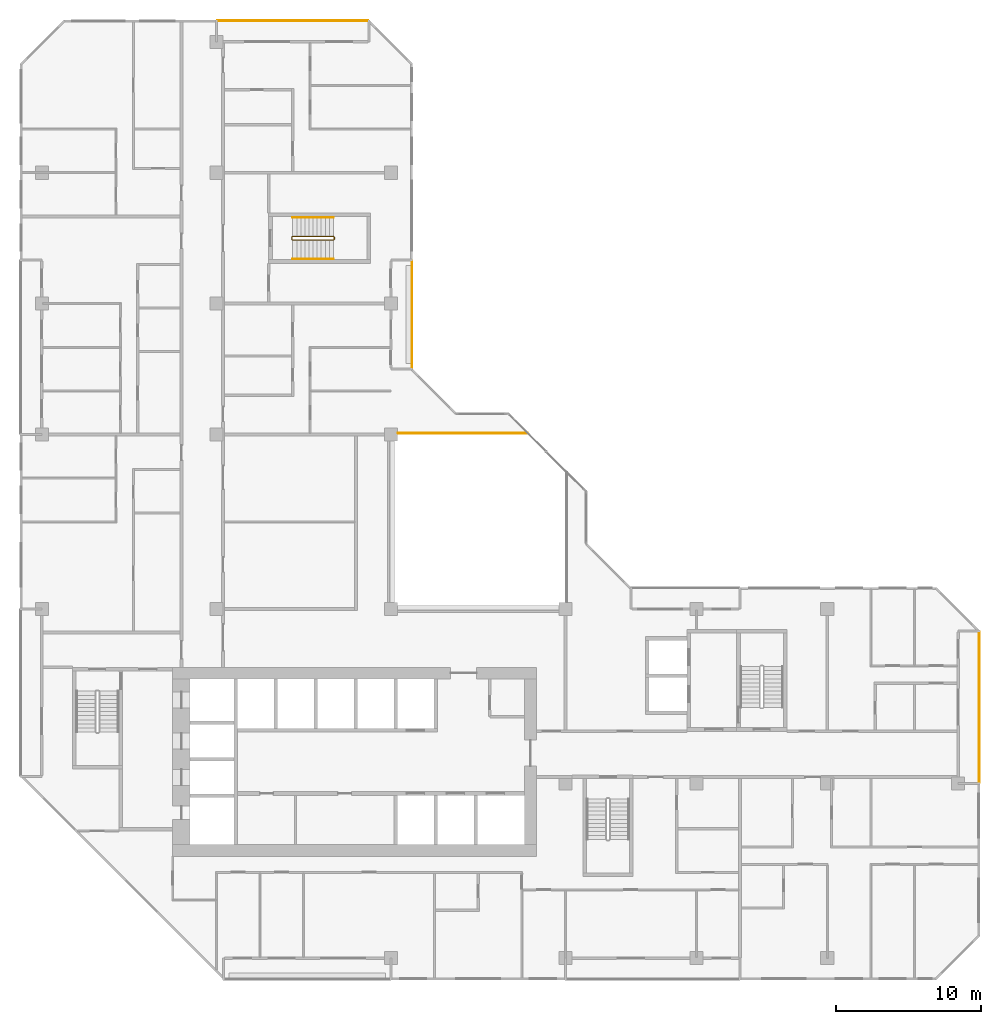
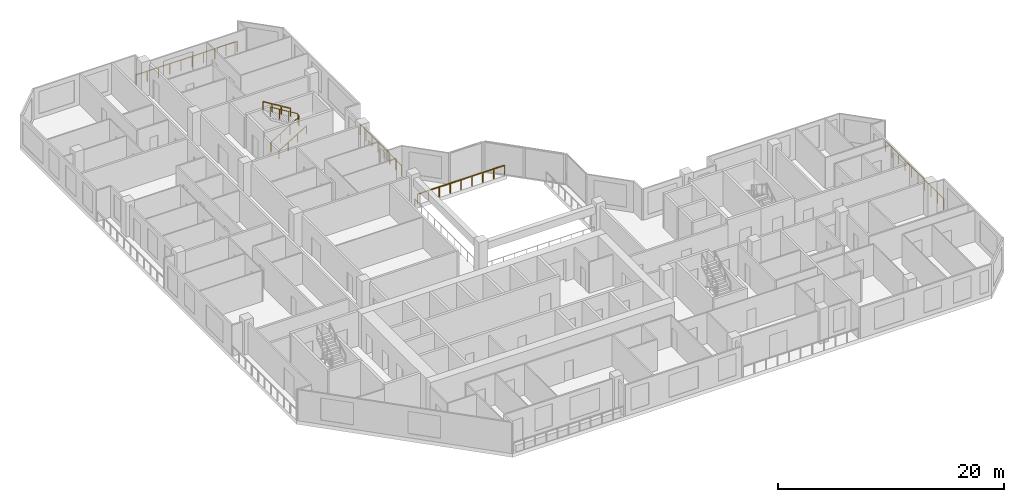
# One storey, part 14 of 14: 7 railings.
"""IFC4 building model written with IfcOpenShell, lengths in metres."""

from ifc_helpers import new_model, si_unit, direction, frame, origin, origin_2d, place, context, subcontext, project, spatial, rectangle, extrude, material, type_object, element, save


model = new_model("IFC4")

# Units and contexts
model_context = context("Model", 3, precision=1e-05, world=origin(), true_north=direction((0.0, 1.0)))
body_context = subcontext(model_context, "Body", "Model", "MODEL_VIEW")
ifc_project = project(units=[si_unit("LENGTHUNIT", "METRE"), si_unit("AREAUNIT", "SQUARE_METRE"), si_unit("VOLUMEUNIT", "CUBIC_METRE"), si_unit("PLANEANGLEUNIT", "RADIAN"), si_unit("MASSUNIT", "GRAM", prefix="KILO")], contexts=[model_context])

# Site, building, storey
site_placement = place(None, origin())
site = spatial("IfcSite", under=ifc_project, at=site_placement, CompositionType="ELEMENT")
building_placement = place(site_placement, origin())
building = spatial("IfcBuilding", under=site, at=building_placement, Name="Chenar Terraces", CompositionType="ELEMENT")
storey_placement = place(building_placement, frame((0.0, 0.0, 168.64990234375)))
storey = spatial("IfcBuildingStorey", under=building, at=storey_placement, Name="L38", CompositionType="ELEMENT", Elevation=168.64990234375)

# Railings
ifc_material_1 = material(Name="Powder-coated steel", Category="steel")
railing_type_1 = type_object("IfcRailingType", Name="Guard 1100 steel rail with glass infill", PredefinedType="GUARDRAIL", material=ifc_material_1)
railing_1_placement = place(storey_placement, frame((24.5, 36.10009765625, 0.0)))
element("IfcRailing", 1, at=railing_1_placement, inside=storey, type_object=railing_type_1, Name="Guard L38-2", PredefinedType="GUARDRAIL", context=body_context, shape_type="SweptSolid", body=[
    extrude(rectangle(XDim=0.06005859375, YDim=0.06005859375, at=origin_2d()), frame((0.0, 0.0, 1.070068359375), z_axis=(1.0, 0.0, 0.0), x_axis=(0.0, 1.0, 0.0)), (0.0, 0.0, 1.0), 8.89990234375),
    extrude(rectangle(XDim=0.050048828125, YDim=0.050048828125, at=origin_2d()), origin(), (0.0, 0.0, 1.0), 1.0400390625),
    extrude(rectangle(XDim=0.050048828125, YDim=0.050048828125, at=origin_2d()), frame((1.112548828125, 0.0, 0.0)), (0.0, 0.0, 1.0), 1.0400390625),
    extrude(rectangle(XDim=0.050048828125, YDim=0.050048828125, at=origin_2d()), frame((2.22509765625, 0.0, 0.0)), (0.0, 0.0, 1.0), 1.0400390625),
    extrude(rectangle(XDim=0.050048828125, YDim=0.050048828125, at=origin_2d()), frame((3.33740234375, 0.0, 0.0)), (0.0, 0.0, 1.0), 1.0400390625),
    extrude(rectangle(XDim=0.050048828125, YDim=0.050048828125, at=origin_2d()), frame((4.449951171875, 0.0, 0.0)), (0.0, 0.0, 1.0), 1.0400390625),
    extrude(rectangle(XDim=0.050048828125, YDim=0.050048828125, at=origin_2d()), frame((5.5625, 0.0, 0.0)), (0.0, 0.0, 1.0), 1.0400390625),
    extrude(rectangle(XDim=0.050048828125, YDim=0.050048828125, at=origin_2d()), frame((6.6748046875, 0.0, 0.0)), (0.0, 0.0, 1.0), 1.0400390625),
    extrude(rectangle(XDim=0.050048828125, YDim=0.050048828125, at=origin_2d()), frame((7.787353515625, 0.0, 0.0)), (0.0, 0.0, 1.0), 1.0400390625),
    extrude(rectangle(XDim=0.050048828125, YDim=0.050048828125, at=origin_2d()), frame((8.89990234375, 0.0, 0.0)), (0.0, 0.0, 1.0), 1.0400390625),
])
ifc_material_2 = material(Name="Stainless steel and glass", Category="steel")
railing_type_2 = type_object("IfcRailingType", Name="Loggia guard 1150", PredefinedType="GUARDRAIL", material=ifc_material_2)
railing_2_placement = place(storey_placement, frame((25.449951171875, 40.574951171875, 0.0)))
element("IfcRailing", 2, at=railing_2_placement, inside=storey, type_object=railing_type_2, Name="Loggia guard", PredefinedType="GUARDRAIL", context=body_context, shape_type="SweptSolid", body=[
    extrude(rectangle(XDim=0.048095703125, YDim=0.048095703125, at=origin_2d()), frame((0.0, 0.0, 1.1259765625), z_axis=(0.0, 1.0, 0.0), x_axis=(-1.0, 0.0, 0.0)), (0.0, 0.0, 1.0), 7.35009765625),
    extrude(rectangle(XDim=0.0419921875, YDim=0.0419921875, at=origin_2d()), origin(), (0.0, 0.0, 1.0), 1.101806640625),
    extrude(rectangle(XDim=0.0419921875, YDim=0.0419921875, at=origin_2d()), frame((0.0, 1.050048828125, 0.0)), (0.0, 0.0, 1.0), 1.101806640625),
    extrude(rectangle(XDim=0.0419921875, YDim=0.0419921875, at=origin_2d()), frame((0.0, 2.10009765625, 0.0)), (0.0, 0.0, 1.0), 1.101806640625),
    extrude(rectangle(XDim=0.0419921875, YDim=0.0419921875, at=origin_2d()), frame((0.0, 3.150146484375, 0.0)), (0.0, 0.0, 1.0), 1.101806640625),
    extrude(rectangle(XDim=0.0419921875, YDim=0.0419921875, at=origin_2d()), frame((0.0, 4.199951171875, 0.0)), (0.0, 0.0, 1.0), 1.101806640625),
    extrude(rectangle(XDim=0.0419921875, YDim=0.0419921875, at=origin_2d()), frame((0.0, 5.25, 0.0)), (0.0, 0.0, 1.0), 1.101806640625),
    extrude(rectangle(XDim=0.0419921875, YDim=0.0419921875, at=origin_2d()), frame((0.0, 6.300048828125, 0.0)), (0.0, 0.0, 1.0), 1.101806640625),
    extrude(rectangle(XDim=0.0419921875, YDim=0.0419921875, at=origin_2d()), frame((0.0, 7.35009765625, 0.0)), (0.0, 0.0, 1.0), 1.101806640625),
])
railing_3_placement = place(storey_placement, frame((64.449951171875, 12.074951171875, 0.0)))
element("IfcRailing", 3, at=railing_3_placement, inside=storey, type_object=railing_type_2, Name="Loggia guard", PredefinedType="GUARDRAIL", context=body_context, shape_type="SweptSolid", body=[
    extrude(rectangle(XDim=0.048095703125, YDim=0.048095703125, at=origin_2d()), frame((0.0, 0.0, 1.1259765625), z_axis=(0.0, 1.0, 0.0), x_axis=(-1.0, 0.0, 0.0)), (0.0, 0.0, 1.0), 10.35009765625),
    extrude(rectangle(XDim=0.0419921875, YDim=0.0419921875, at=origin_2d()), origin(), (0.0, 0.0, 1.0), 1.101806640625),
    extrude(rectangle(XDim=0.0419921875, YDim=0.0419921875, at=origin_2d()), frame((0.0, 1.14990234375, 0.0)), (0.0, 0.0, 1.0), 1.101806640625),
    extrude(rectangle(XDim=0.0419921875, YDim=0.0419921875, at=origin_2d()), frame((0.0, 2.300048828125, 0.0)), (0.0, 0.0, 1.0), 1.101806640625),
    extrude(rectangle(XDim=0.0419921875, YDim=0.0419921875, at=origin_2d()), frame((0.0, 3.449951171875, 0.0)), (0.0, 0.0, 1.0), 1.101806640625),
    extrude(rectangle(XDim=0.0419921875, YDim=0.0419921875, at=origin_2d()), frame((0.0, 4.60009765625, 0.0)), (0.0, 0.0, 1.0), 1.101806640625),
    extrude(rectangle(XDim=0.0419921875, YDim=0.0419921875, at=origin_2d()), frame((0.0, 5.75, 0.0)), (0.0, 0.0, 1.0), 1.101806640625),
    extrude(rectangle(XDim=0.0419921875, YDim=0.0419921875, at=origin_2d()), frame((0.0, 6.900146484375, 0.0)), (0.0, 0.0, 1.0), 1.101806640625),
    extrude(rectangle(XDim=0.0419921875, YDim=0.0419921875, at=origin_2d()), frame((0.0, 8.050048828125, 0.0)), (0.0, 0.0, 1.0), 1.101806640625),
    extrude(rectangle(XDim=0.0419921875, YDim=0.0419921875, at=origin_2d()), frame((0.0, 9.2001953125, 0.0)), (0.0, 0.0, 1.0), 1.101806640625),
    extrude(rectangle(XDim=0.0419921875, YDim=0.0419921875, at=origin_2d()), frame((0.0, 10.35009765625, 0.0)), (0.0, 0.0, 1.0), 1.101806640625),
])
railing_4_placement = place(storey_placement, frame((22.425048828125, 64.449951171875, 0.0)))
element("IfcRailing", 4, at=railing_4_placement, inside=storey, type_object=railing_type_2, Name="Loggia guard", PredefinedType="GUARDRAIL", context=body_context, shape_type="SweptSolid", body=[
    extrude(rectangle(XDim=0.048095703125, YDim=0.048095703125, at=origin_2d()), frame((0.0, 0.0, 1.1259765625), z_axis=(-1.0, 0.0, 0.0), x_axis=(0.0, -1.0, 0.0)), (0.0, 0.0, 1.0), 10.35009765625),
    extrude(rectangle(XDim=0.0419921875, YDim=0.0419921875, at=origin_2d()), origin(), (0.0, 0.0, 1.0), 1.101806640625),
    extrude(rectangle(XDim=0.0419921875, YDim=0.0419921875, at=origin_2d()), frame((-1.14990234375, 0.0, 0.0)), (0.0, 0.0, 1.0), 1.101806640625),
    extrude(rectangle(XDim=0.0419921875, YDim=0.0419921875, at=origin_2d()), frame((-2.300048828125, 0.0, 0.0)), (0.0, 0.0, 1.0), 1.101806640625),
    extrude(rectangle(XDim=0.0419921875, YDim=0.0419921875, at=origin_2d()), frame((-3.449951171875, 0.0, 0.0)), (0.0, 0.0, 1.0), 1.101806640625),
    extrude(rectangle(XDim=0.0419921875, YDim=0.0419921875, at=origin_2d()), frame((-4.60009765625, 0.0, 0.0)), (0.0, 0.0, 1.0), 1.101806640625),
    extrude(rectangle(XDim=0.0419921875, YDim=0.0419921875, at=origin_2d()), frame((-5.75, 0.0, 0.0)), (0.0, 0.0, 1.0), 1.101806640625),
    extrude(rectangle(XDim=0.0419921875, YDim=0.0419921875, at=origin_2d()), frame((-6.900146484375, 0.0, 0.0)), (0.0, 0.0, 1.0), 1.101806640625),
    extrude(rectangle(XDim=0.0419921875, YDim=0.0419921875, at=origin_2d()), frame((-8.050048828125, 0.0, 0.0)), (0.0, 0.0, 1.0), 1.101806640625),
    extrude(rectangle(XDim=0.0419921875, YDim=0.0419921875, at=origin_2d()), frame((-9.2001953125, 0.0, 0.0)), (0.0, 0.0, 1.0), 1.101806640625),
    extrude(rectangle(XDim=0.0419921875, YDim=0.0419921875, at=origin_2d()), frame((-10.35009765625, 0.0, 0.0)), (0.0, 0.0, 1.0), 1.101806640625),
])
ifc_material_3 = material(Name="Powder-coated steel", Category="steel")
railing_type_3 = type_object("IfcRailingType", Name="Stair guard 1100", PredefinedType="GUARDRAIL", material=ifc_material_3)
railing_5_placement = place(storey_placement, frame((17.25, 49.625, 3.75)))
element("IfcRailing", 5, at=railing_5_placement, inside=storey, type_object=railing_type_3, Name="L38 ST4 stair guard 1", PredefinedType="GUARDRAIL", context=body_context, shape_type="SweptSolid", body=[
    extrude(rectangle(XDim=0.048095703125, YDim=0.048095703125, at=origin_2d()), frame((0.0, 0.0, 1.076171875), z_axis=(0.854202870247, 0.0, -0.519939858505), x_axis=(0.0, 1.0, 0.0)), (0.0, 0.0, 1.0), 3.278076171875),
    extrude(rectangle(XDim=0.048095703125, YDim=0.048095703125, at=origin_2d()), frame((2.800048828125, 0.0, -0.62841796875), z_axis=(0.270899902878, -0.270899902878, -0.923702595667), x_axis=(0.707106781187, 0.707106781187, 0.0)), (0.0, 0.0, 1.0), 0.184814453125),
    extrude(rectangle(XDim=0.048095703125, YDim=0.048095703125, at=origin_2d()), frame((2.85009765625, -0.050048828125, -0.798828125), z_axis=(0.0, -1.0, 0.0), x_axis=(1.0, 0.0, 0.0)), (0.0, 0.0, 1.0), 0.14990234375),
    extrude(rectangle(XDim=0.048095703125, YDim=0.048095703125, at=origin_2d()), frame((2.85009765625, -0.199951171875, -0.798828125), z_axis=(-0.707106781187, -0.707106781187, 0.0), x_axis=(0.707106781187, -0.707106781187, 0.0)), (0.0, 0.0, 1.0), 0.07080078125),
    extrude(rectangle(XDim=0.048095703125, YDim=0.048095703125, at=origin_2d()), frame((2.800048828125, -0.25, -0.798828125), z_axis=(-0.854202870247, 0.0, -0.519939858505), x_axis=(0.0, -1.0, 0.0)), (0.0, 0.0, 1.0), 3.278076171875),
    extrude(rectangle(XDim=0.048095703125, YDim=0.048095703125, at=origin_2d()), frame((0.0, -0.25, -2.50341796875), z_axis=(-0.270899902878, 0.270899902878, -0.923702595667), x_axis=(-0.707106781187, -0.707106781187, 0.0)), (0.0, 0.0, 1.0), 0.184814453125),
    extrude(rectangle(XDim=0.048095703125, YDim=0.048095703125, at=origin_2d()), frame((-0.050048828125, -0.199951171875, -2.673828125), z_axis=(0.0, 1.0, 0.0), x_axis=(-1.0, 0.0, 0.0)), (0.0, 0.0, 1.0), 0.14990234375),
    extrude(rectangle(XDim=0.0419921875, YDim=0.0419921875, at=origin_2d()), origin(), (0.0, 0.0, 1.0), 1.052001953125),
    extrude(rectangle(XDim=0.0419921875, YDim=0.0419921875, at=origin_2d()), frame((0.933349609375, 0.0, -0.568115234375)), (0.0, 0.0, 1.0), 1.052001953125),
    extrude(rectangle(XDim=0.0419921875, YDim=0.0419921875, at=origin_2d()), frame((1.86669921875, 0.0, -1.13623046875)), (0.0, 0.0, 1.0), 1.052001953125),
    extrude(rectangle(XDim=0.0419921875, YDim=0.0419921875, at=origin_2d()), frame((2.800048828125, 0.0, -1.704345703125)), (0.0, 0.0, 1.0), 1.052001953125),
    extrude(rectangle(XDim=0.0419921875, YDim=0.0419921875, at=origin_2d()), frame((2.85009765625, -0.050048828125, -1.875)), (0.0, 0.0, 1.0), 1.052001953125),
    extrude(rectangle(XDim=0.0419921875, YDim=0.0419921875, at=origin_2d()), frame((2.85009765625, -0.199951171875, -1.875)), (0.0, 0.0, 1.0), 1.052001953125),
    extrude(rectangle(XDim=0.0419921875, YDim=0.0419921875, at=origin_2d()), frame((2.800048828125, -0.25, -1.875)), (0.0, 0.0, 1.0), 1.052001953125),
    extrude(rectangle(XDim=0.0419921875, YDim=0.0419921875, at=origin_2d()), frame((1.86669921875, -0.25, -2.443115234375)), (0.0, 0.0, 1.0), 1.052001953125),
    extrude(rectangle(XDim=0.0419921875, YDim=0.0419921875, at=origin_2d()), frame((0.933349609375, -0.25, -3.01123046875)), (0.0, 0.0, 1.0), 1.052001953125),
    extrude(rectangle(XDim=0.0419921875, YDim=0.0419921875, at=origin_2d()), frame((0.0, -0.25, -3.579345703125)), (0.0, 0.0, 1.0), 1.052001953125),
    extrude(rectangle(XDim=0.0419921875, YDim=0.0419921875, at=origin_2d()), frame((-0.050048828125, -0.199951171875, -3.75)), (0.0, 0.0, 1.0), 1.052001953125),
    extrude(rectangle(XDim=0.0419921875, YDim=0.0419921875, at=origin_2d()), frame((-0.050048828125, -0.050048828125, -3.75)), (0.0, 0.0, 1.0), 1.052001953125),
])
ifc_material_4 = material(Name="Powder-coated steel", Category="steel")
railing_type_4 = type_object("IfcRailingType", Name="Stair handrail 900", PredefinedType="HANDRAIL", material=ifc_material_4)
railing_6_placement = place(storey_placement, frame((17.25, 48.074951171875, 0.170654296875)))
element("IfcRailing", 6, at=railing_6_placement, inside=storey, type_object=railing_type_4, Name="L38 ST4 stair handrail 1", PredefinedType="HANDRAIL", context=body_context, shape_type="SweptSolid", body=[
    extrude(rectangle(XDim=0.048095703125, YDim=0.048095703125, at=origin_2d()), frame((0.0, 0.0, 0.8759765625), z_axis=(0.854202870247, 0.0, 0.519939858505), x_axis=(0.0, 1.0, 0.0)), (0.0, 0.0, 1.0), 3.278076171875),
    extrude(rectangle(XDim=0.0419921875, YDim=0.0419921875, at=origin_2d()), origin(), (0.0, 0.0, 1.0), 0.851806640625),
    extrude(rectangle(XDim=0.0419921875, YDim=0.0419921875, at=origin_2d()), frame((0.933349609375, 0.0, 0.568115234375)), (0.0, 0.0, 1.0), 0.851806640625),
    extrude(rectangle(XDim=0.0419921875, YDim=0.0419921875, at=origin_2d()), frame((1.86669921875, 0.0, 1.13623046875)), (0.0, 0.0, 1.0), 0.851806640625),
    extrude(rectangle(XDim=0.0419921875, YDim=0.0419921875, at=origin_2d()), frame((2.800048828125, 0.0, 1.704345703125)), (0.0, 0.0, 1.0), 0.851806640625),
])
railing_7_placement = place(storey_placement, frame((20.050048828125, 50.925048828125, 2.045654296875)))
element("IfcRailing", 7, at=railing_7_placement, inside=storey, type_object=railing_type_4, Name="L38 ST4 stair handrail 2", PredefinedType="HANDRAIL", context=body_context, shape_type="SweptSolid", body=[
    extrude(rectangle(XDim=0.048095703125, YDim=0.048095703125, at=origin_2d()), frame((0.0, 0.0, 0.8759765625), z_axis=(-0.854202870247, 0.0, 0.519939858505), x_axis=(0.0, -1.0, 0.0)), (0.0, 0.0, 1.0), 3.278076171875),
    extrude(rectangle(XDim=0.0419921875, YDim=0.0419921875, at=origin_2d()), origin(), (0.0, 0.0, 1.0), 0.851806640625),
    extrude(rectangle(XDim=0.0419921875, YDim=0.0419921875, at=origin_2d()), frame((-0.933349609375, 0.0, 0.568115234375)), (0.0, 0.0, 1.0), 0.851806640625),
    extrude(rectangle(XDim=0.0419921875, YDim=0.0419921875, at=origin_2d()), frame((-1.86669921875, 0.0, 1.13623046875)), (0.0, 0.0, 1.0), 0.851806640625),
    extrude(rectangle(XDim=0.0419921875, YDim=0.0419921875, at=origin_2d()), frame((-2.800048828125, 0.0, 1.704345703125)), (0.0, 0.0, 1.0), 0.851806640625),
])

save(model, "model.ifc")
